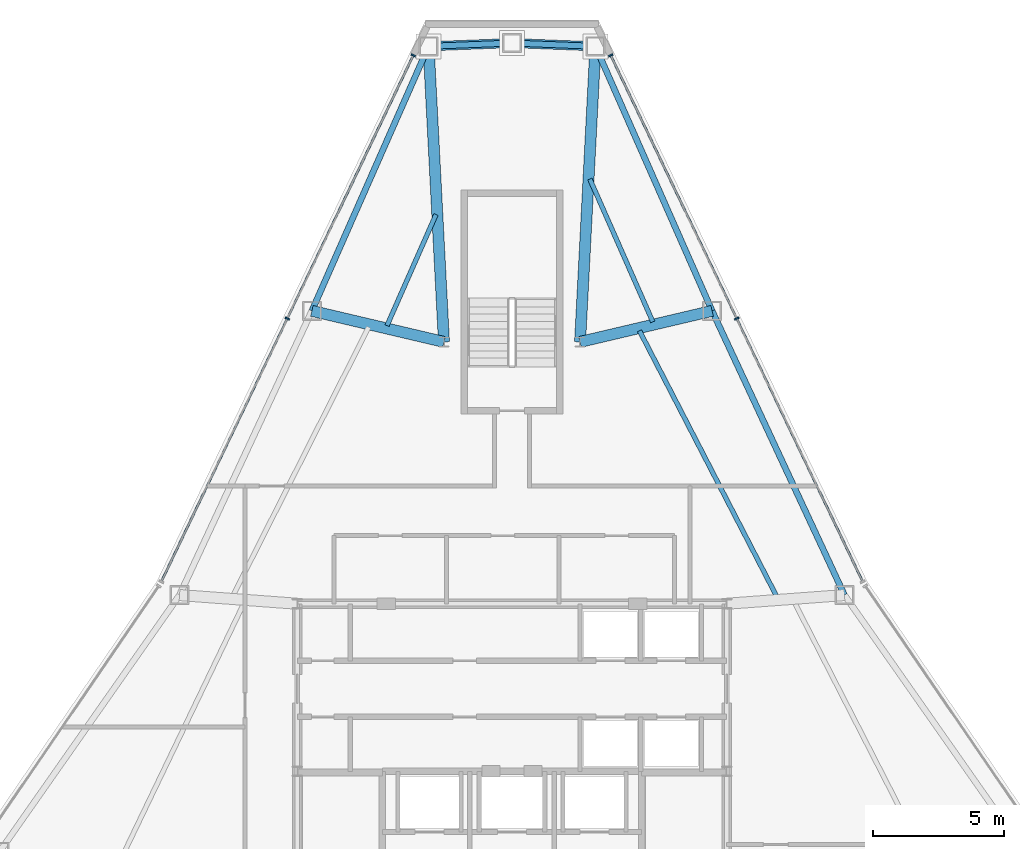
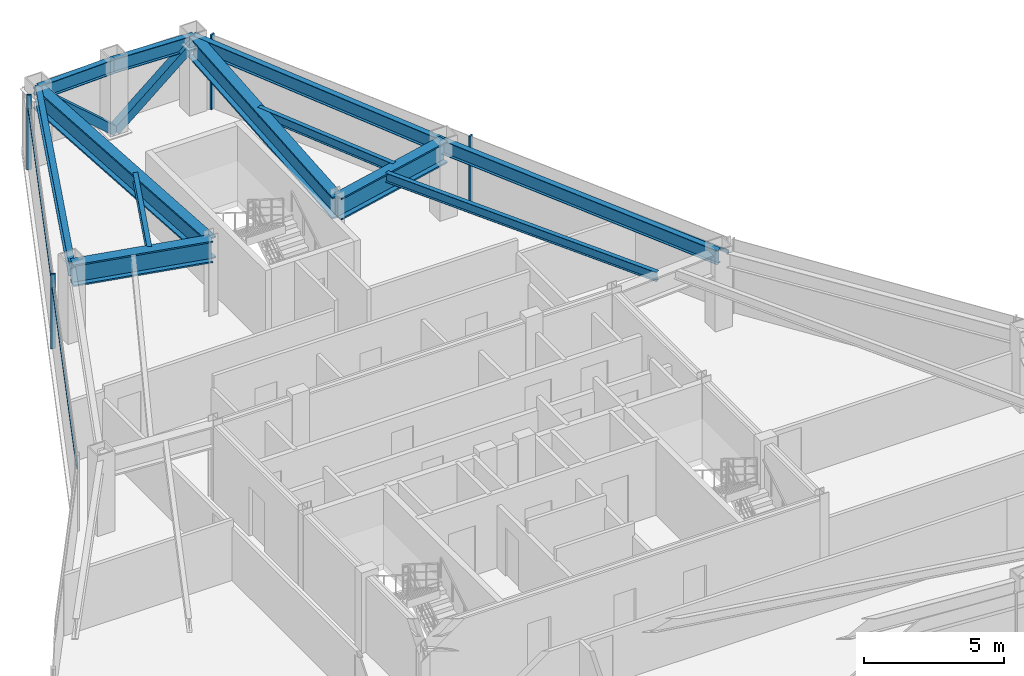
# One storey, part 7 of 11: 12 beams, 8 members, 2 elements without a shape of their own.
"""IFC4 building model written with IfcOpenShell, lengths in metres."""

import ifcopenshell
import ifcopenshell.guid

model = None  # the IFC model being written
_history = None  # IfcOwnerHistory: only IFC2X3 demands one
_inside = {}  # id of a spatial element -> (the spatial element, [elements in it])
_under = {}  # id of a project, library or spatial element -> (it, [spatial elements below it])
_declared = {}  # id of a project -> (the project, [libraries it declares])
_typed = {}  # id of a type object -> (the type object, [elements of that type])
_made_of = {}  # id of a material, layer set ... -> (it, [elements and type objects made of it])


def new_model(schema):
    """Start an empty IFC model of exactly this schema.

    Asked for "IFC4X3", IfcOpenShell would pick the latest addendum, in which some entities
    have other attributes; the version numbers below select the first issue.
    IFC2X3 requires an IfcOwnerHistory on every rooted entity: one is made here for all.
    """
    global model, _history
    if schema == "IFC4X3":
        model = ifcopenshell.file(schema_version=(4, 3, 0, 0))
    else:
        model = ifcopenshell.file(schema=schema)
    _inside.clear()
    _under.clear()
    _declared.clear()
    _typed.clear()
    _made_of.clear()
    _history = None
    if model.schema == "IFC2X3":
        org = make("IfcOrganization", Name="unknown")
        user = make(
            "IfcPersonAndOrganization",
            ThePerson=make("IfcPerson", FamilyName="unknown"),
            TheOrganization=org,
        )
        app = make(
            "IfcApplication",
            ApplicationDeveloper=org,
            Version="unknown",
            ApplicationFullName="unknown",
            ApplicationIdentifier="unknown",
        )
        _history = make(
            "IfcOwnerHistory",
            OwningUser=user,
            OwningApplication=app,
            ChangeAction="ADDED",
            CreationDate=0,
        )
    return model


def make(cls, **values):
    """One entity of the class cls with the attributes given. An attribute that is None is left unset."""
    return model.create_entity(
        cls, **{name: value for name, value in values.items() if value is not None}
    )


def rooted(cls, **values):
    """An entity with a GlobalId (a new one), such as an element, a storey or a relation."""
    return make(cls, GlobalId=ifcopenshell.guid.new(), OwnerHistory=_history, **values)


def si_unit(unit_type, name, prefix=None):
    """IfcSIUnit, for example si_unit("LENGTHUNIT", "METRE", prefix="MILLI")."""
    return make("IfcSIUnit", UnitType=unit_type, Prefix=prefix, Name=name)


def assignment(units):
    """IfcUnitAssignment: the units of a project."""
    return None if units is None else make("IfcUnitAssignment", Units=units)


def point(xyz):
    """IfcCartesianPoint."""
    return None if xyz is None else make("IfcCartesianPoint", Coordinates=xyz)


def direction(xyz):
    """IfcDirection."""
    return None if xyz is None else make("IfcDirection", DirectionRatios=xyz)


def frame(location, z_axis=None, x_axis=None):
    """IfcAxis2Placement3D, a coordinate frame: its origin and axes. An axis left out is left unset."""
    return make(
        "IfcAxis2Placement3D",
        Location=point(location),
        Axis=direction(z_axis),
        RefDirection=direction(x_axis),
    )


def frame_2d(location, x_axis=None):
    """IfcAxis2Placement2D, a coordinate frame in the plane: its origin and x axis."""
    return make(
        "IfcAxis2Placement2D", Location=point(location), RefDirection=direction(x_axis)
    )


def origin():
    """The frame at (0, 0, 0) with its axes left unset."""
    return frame((0.0, 0.0, 0.0))


def origin_2d():
    """The frame at (0, 0) in the plane with its x axis left unset."""
    return frame_2d((0.0, 0.0))


def place(relative_to, where):
    """IfcLocalPlacement: puts the frame where relative to a parent placement (None: the world)."""
    return make(
        "IfcLocalPlacement", PlacementRelTo=relative_to, RelativePlacement=where
    )


def context(
    kind, dimensions, precision=None, world=None, true_north=None, identifier=None
):
    """IfcGeometricRepresentationContext, for example the 3D "Model" context."""
    return make(
        "IfcGeometricRepresentationContext",
        ContextIdentifier=identifier,
        ContextType=kind,
        CoordinateSpaceDimension=dimensions,
        Precision=precision,
        WorldCoordinateSystem=world,
        TrueNorth=true_north,
    )


def subcontext(parent, identifier, kind, view, scale=None):
    """IfcGeometricRepresentationSubContext, for example "Body" below "Model"."""
    return make(
        "IfcGeometricRepresentationSubContext",
        ContextIdentifier=identifier,
        ContextType=kind,
        ParentContext=parent,
        TargetScale=scale,
        TargetView=view,
    )


def project(units=None, contexts=None):
    """IfcProject with its units and contexts."""
    return rooted(
        "IfcProject",
        Name="project",
        RepresentationContexts=contexts,
        UnitsInContext=assignment(units),
    )


def spatial(cls, under=None, at=None, **own):
    """A site, building, storey or space (cls), placed at a placement, below another one or the project."""
    s = rooted(cls, ObjectPlacement=at, **own)
    if under is not None:
        _under.setdefault(under.id(), (under, []))[1].append(s)
    return s


def profile(cls, at=None, kind="AREA", **sizes):
    """A parametric profile (cls). Its sizes go by their IFC names, for example OverallWidth=200.0."""
    return make(cls, ProfileType=kind, Position=at, **sizes)


def rectangle(**sizes):
    """IfcRectangleProfileDef."""
    return profile("IfcRectangleProfileDef", **sizes)


def hollow_rectangle(**sizes):
    """IfcRectangleHollowProfileDef."""
    return profile("IfcRectangleHollowProfileDef", **sizes)


def i_section(**sizes):
    """IfcIShapeProfileDef."""
    return profile("IfcIShapeProfileDef", **sizes)


def extrude(swept, where, along, depth):
    """IfcExtrudedAreaSolid: the profile swept, set in the frame where, extruded along a direction by depth."""
    return make(
        "IfcExtrudedAreaSolid",
        SweptArea=swept,
        Position=where,
        ExtrudedDirection=direction(along),
        Depth=depth,
    )


def shape(context_of_items, identifier, shape_type, items):
    """IfcShapeRepresentation: the items that make up one representation, for example the "Body"."""
    return make(
        "IfcShapeRepresentation",
        ContextOfItems=context_of_items,
        RepresentationIdentifier=identifier,
        RepresentationType=shape_type,
        Items=items,
    )


def source(mapping_origin, context_of_items, identifier, shape_type, items):
    """IfcRepresentationMap: a shape defined once, which mapped items show again and again."""
    return make(
        "IfcRepresentationMap",
        MappingOrigin=mapping_origin,
        MappedRepresentation=shape(context_of_items, identifier, shape_type, items),
    )


def transform(
    local_origin,
    x_axis=None,
    y_axis=None,
    z_axis=None,
    scale=None,
    scale2=None,
    scale3=None,
    uniform=True,
):
    """IfcCartesianTransformationOperator3D, or its non-uniform kind. x_axis, y_axis, z_axis: its Axis1, 2, 3."""
    if uniform:
        return make(
            "IfcCartesianTransformationOperator3D",
            Axis1=direction(x_axis),
            Axis2=direction(y_axis),
            LocalOrigin=point(local_origin),
            Scale=scale,
            Axis3=direction(z_axis),
        )
    return make(
        "IfcCartesianTransformationOperator3DnonUniform",
        Axis1=direction(x_axis),
        Axis2=direction(y_axis),
        LocalOrigin=point(local_origin),
        Scale=scale,
        Axis3=direction(z_axis),
        Scale2=scale2,
        Scale3=scale3,
    )


def mapped(mapping_source, mapping_target):
    """IfcMappedItem: shows the shape of a source again, moved by a transform."""
    return make(
        "IfcMappedItem", MappingSource=mapping_source, MappingTarget=mapping_target
    )


def material(Name=None, Category=None):
    """IfcMaterial."""
    return make("IfcMaterial", Name=Name, Category=Category)


def layer(
    of_material, thickness, ventilated=None, Name=None, Category=None, Priority=None
):
    """IfcMaterialLayer: one layer of a wall or slab, of a material (None: an air gap)."""
    return make(
        "IfcMaterialLayer",
        Material=of_material,
        LayerThickness=thickness,
        IsVentilated=ventilated,
        Name=Name,
        Category=Category,
        Priority=Priority,
    )


def layer_set(layers, Name=None):
    """IfcMaterialLayerSet."""
    return make("IfcMaterialLayerSet", MaterialLayers=layers, LayerSetName=Name)


def material_profile(
    of_material, cross_section, Name=None, Category=None, Priority=None
):
    """IfcMaterialProfile: a cross section and its material."""
    return make(
        "IfcMaterialProfile",
        Name=Name,
        Material=of_material,
        Profile=cross_section,
        Priority=Priority,
        Category=Category,
    )


def profile_set(profiles, Name=None, composite=None):
    """IfcMaterialProfileSet."""
    return make(
        "IfcMaterialProfileSet",
        Name=Name,
        MaterialProfiles=profiles,
        CompositeProfile=composite,
    )


def made_of(thing, what):
    """Note that an element or type object is made of a material, layer set ...; save() writes the relation."""
    if what is not None:
        _made_of.setdefault(what.id(), (what, []))[1].append(thing)
    return thing


def type_object(cls, material=None, **own):
    """A type object (cls), such as IfcWallType, which elements share."""
    return made_of(rooted(cls, **own), material)


def type_shapes(of_type, sources):
    """Give a type object the sources (RepresentationMaps) that its elements show as mapped items."""
    of_type.RepresentationMaps = sources


def element(
    cls,
    number,
    at=None,
    inside=None,
    cuts=None,
    type_object=None,
    material=None,
    context=None,
    identifier="Body",
    shape_type=None,
    held_by="IfcProductDefinitionShape",
    body=None,
    shapes=None,
    **own,
):
    """One element of the class cls, such as IfcWall. Its Tag is "e" and its number.

    at: its placement. inside: the storey or other place that contains it. cuts: it is an
    opening in that element (IfcRelVoidsElement). A single representation is given by context,
    identifier, shape_type and body (its items); several are given by shapes. held_by: the class
    of the entity that holds the representations. save() writes the other relations.
    """
    e = rooted(cls, Tag="e%d" % number, ObjectPlacement=at, **own)
    if body is not None:
        shapes = [shape(context, identifier, shape_type, body)]
    if shapes is not None:
        e.Representation = make(held_by, Representations=shapes)
    if inside is not None:
        _inside.setdefault(inside.id(), (inside, []))[1].append(e)
    if cuts is not None:
        rooted(
            "IfcRelVoidsElement", RelatingBuildingElement=cuts, RelatedOpeningElement=e
        )
    if type_object is not None:
        _typed.setdefault(type_object.id(), (type_object, []))[1].append(e)
    return made_of(e, material)


def aggregate(whole, parts):
    """IfcRelAggregates: a whole, such as a stair, and the parts it consists of."""
    return rooted("IfcRelAggregates", RelatingObject=whole, RelatedObjects=parts)


def save(model, path):
    """Write the relations noted so far, then the file.

    IfcRelAggregates (storeys below a building ...), IfcRelContainedInSpatialStructure (elements
    in a storey), IfcRelDefinesByType, IfcRelAssociatesMaterial and IfcRelDeclares: one each for
    every whole, place, type object, material and project.
    """
    for whole, parts in _under.values():
        aggregate(whole, parts)
    for where, things in _inside.values():
        rooted(
            "IfcRelContainedInSpatialStructure",
            RelatedElements=things,
            RelatingStructure=where,
        )
    for kind, things in _typed.values():
        rooted("IfcRelDefinesByType", RelatedObjects=things, RelatingType=kind)
    for what, things in _made_of.values():
        rooted("IfcRelAssociatesMaterial", RelatedObjects=things, RelatingMaterial=what)
    for by, libraries in _declared.values():
        rooted("IfcRelDeclares", RelatingContext=by, RelatedDefinitions=libraries)
    model.write(path)


model = new_model("IFC4")

# Units and contexts
model_context = context("Model", 3, precision=1e-05, world=origin(), true_north=direction((0.0, 1.0)))
body_context = subcontext(model_context, "Body", "Model", "MODEL_VIEW")
ifc_project = project(units=[si_unit("LENGTHUNIT", "METRE"), si_unit("AREAUNIT", "SQUARE_METRE"), si_unit("VOLUMEUNIT", "CUBIC_METRE"), si_unit("PLANEANGLEUNIT", "RADIAN"), si_unit("MASSUNIT", "GRAM", prefix="KILO")], contexts=[model_context])

# Site, building, storey
site_placement = place(None, origin())
site = spatial("IfcSite", under=ifc_project, at=site_placement, CompositionType="ELEMENT")
building_placement = place(site_placement, origin())
building = spatial("IfcBuilding", under=site, at=building_placement, Name="Varakhsha Concourse Tower", CompositionType="ELEMENT")
storey_placement = place(building_placement, frame((0.0, 0.0, 215.39990234375)))
storey = spatial("IfcBuildingStorey", under=building, at=storey_placement, Name="L61", CompositionType="ELEMENT", Elevation=215.39990234375)

# Beams
ifc_material_1 = material(Name="Structural Steel ASTM A992 Grade 50", Category="steel")
ifc_material_profile_1 = material_profile(ifc_material_1, i_section(OverallWidth=0.177978515625, OverallDepth=0.406982421875, WebThickness=0.008056640625, FlangeThickness=0.012939453125, at=origin_2d()), Name="W16X40")
ifc_profile_set_1 = profile_set([ifc_material_profile_1], Name="Structural Steel ASTM A992 Grade 50")
beam_type_1 = type_object("IfcBeamType", Name="BM-JST-W16X40", PredefinedType="JOIST", material=ifc_profile_set_1)
beam_1_placement = place(storey_placement, frame((37.097412109375, 46.06787109375, 3.046630859375), z_axis=(-0.403583198259, -0.91494295018, 0.0), x_axis=(0.91494295018, -0.403583198259, 0.0)))
element("IfcBeam", 1, at=beam_1_placement, inside=storey, type_object=beam_type_1, Name="BM-TJST-L61-03", PredefinedType="JOIST", context=body_context, shape_type="SweptSolid", body=[
    extrude(i_section(OverallWidth=0.177978515625, OverallDepth=0.406982421875, WebThickness=0.008056640625, FlangeThickness=0.012939453125, at=origin_2d()), origin(), (0.0, 0.0, 1.0), 4.63916015625),
])
beam_2_placement = place(storey_placement, frame((50.12890625, 31.443603515625, 3.046630859375), z_axis=(-0.458935408201, 0.888469634315, 0.0), x_axis=(-0.888469634315, -0.458935408201, 0.0)))
element("IfcBeam", 2, at=beam_2_placement, inside=storey, type_object=beam_type_1, Name="BM-TJST-L61-17", PredefinedType="JOIST", context=body_context, shape_type="SweptSolid", body=[
    extrude(i_section(OverallWidth=0.177978515625, OverallDepth=0.406982421875, WebThickness=0.008056640625, FlangeThickness=0.012939453125, at=origin_2d()), origin(), (0.0, 0.0, 1.0), 11.459228515625),
])
beam_3_placement = place(storey_placement, frame((45.380126953125, 41.9658203125, 3.046630859375), z_axis=(-0.403599895575, 0.914935584777, 0.0), x_axis=(-0.914935584777, -0.403599895575, 0.0)))
element("IfcBeam", 3, at=beam_3_placement, inside=storey, type_object=beam_type_1, Name="BM-TJST-L61-18", PredefinedType="JOIST", context=body_context, shape_type="SweptSolid", body=[
    extrude(i_section(OverallWidth=0.177978515625, OverallDepth=0.406982421875, WebThickness=0.008056640625, FlangeThickness=0.012939453125, at=origin_2d()), origin(), (0.0, 0.0, 1.0), 5.96435546875),
])
ifc_material_profile_2 = material_profile(ifc_material_1, i_section(OverallWidth=0.423095703125, OverallDepth=0.947998046875, WebThickness=0.0380859375, FlangeThickness=0.06396484375, at=origin_2d()), Name="W36X302")
ifc_profile_set_2 = profile_set([ifc_material_profile_2], Name="Structural Steel ASTM A992 Grade 50")
beam_type_2 = type_object("IfcBeamType", Name="BM-OUTR-W36X302", PredefinedType="USERDEFINED", material=ifc_profile_set_2)
for number, where, z_axis, x_axis, name in (
    (4, (42.60009765625, 41.199951171875, 2.776123046875), (0.051884532056, 0.998653090584, 0.0), (-0.998653090584, 0.051884532056, 0.0), "L61 Radial Floor Girder 01"),
    (5, (37.39990234375, 41.199951171875, 2.776123046875), (-0.051884532056, 0.998653090584, 0.0), (-0.998653090584, -0.051884532056, 0.0), "L61 Radial Floor Girder 03"),
):
    element("IfcBeam", number, at=place(storey_placement, frame(where, z_axis=z_axis, x_axis=x_axis)), inside=storey, type_object=beam_type_2, Name=name, ObjectType="GIRDER", PredefinedType="USERDEFINED", context=body_context, shape_type="SweptSolid", body=[
        extrude(i_section(OverallWidth=0.423095703125, OverallDepth=0.947998046875, WebThickness=0.0380859375, FlangeThickness=0.06396484375, at=origin_2d()), origin(), (0.0, 0.0, 1.0), 11.30712890625),
    ])
for number, where, z_axis, x_axis, name in (
    (6, (37.39990234375, 41.199951171875, 2.776123046875), (-0.973374515128, 0.229220534203, 0.0), (-0.229220534203, -0.973374515128, 0.0), "L61 Radial Floor Girder 04"),
    (7, (42.60009765625, 41.199951171875, 2.776123046875), (0.973374515128, 0.229220534203, 0.0), (-0.229220534203, 0.973374515128, 0.0), "L61 Radial Floor Girder 18"),
):
    element("IfcBeam", number, at=place(storey_placement, frame(where, z_axis=z_axis, x_axis=x_axis)), inside=storey, type_object=beam_type_2, Name=name, ObjectType="GIRDER", PredefinedType="USERDEFINED", context=body_context, shape_type="SweptSolid", body=[
        extrude(i_section(OverallWidth=0.423095703125, OverallDepth=0.947998046875, WebThickness=0.0380859375, FlangeThickness=0.06396484375, at=origin_2d()), origin(), (0.0, 0.0, 1.0), 5.181640625),
    ])
ifc_material_profile_3 = material_profile(ifc_material_1, i_section(OverallWidth=0.22900390625, OverallDepth=0.612060546875, WebThickness=0.011962890625, FlangeThickness=0.02001953125, at=origin_2d()), Name="W24X84")
ifc_profile_set_3 = profile_set([ifc_material_profile_3], Name="Structural Steel ASTM A992 Grade 50")
beam_type_3 = type_object("IfcBeamType", Name="BM-SPAN-W24X84", PredefinedType="SPANDREL", material=ifc_profile_set_3)
for number, where, z_axis, x_axis, name in (
    (8, (43.186767578125, 52.491943359375, 2.944091796875), (-0.999225590173, 0.039347426136, 0.0), (-0.039347426136, -0.999225590173, 0.0), "BM-SPAN-L61-01"),
    (9, (40.0, 52.617431640625, 2.944091796875), (-0.999225590173, -0.039347426136, 0.0), (0.039347426136, -0.999225590173, 0.0), "BM-SPAN-L61-02"),
):
    element("IfcBeam", number, at=place(storey_placement, frame(where, z_axis=z_axis, x_axis=x_axis)), inside=storey, type_object=beam_type_3, Name=name, PredefinedType="SPANDREL", context=body_context, shape_type="SweptSolid", body=[
        extrude(i_section(OverallWidth=0.22900390625, OverallDepth=0.612060546875, WebThickness=0.011962890625, FlangeThickness=0.02001953125, at=origin_2d()), origin(), (0.0, 0.0, 1.0), 3.189208984375),
    ])
beam_4_placement = place(storey_placement, frame((36.813232421875, 52.491943359375, 2.944091796875), z_axis=(-0.403585234517, -0.914942051979, 0.0), x_axis=(0.914942051979, -0.403585234517, 0.0)))
element("IfcBeam", 10, at=beam_4_placement, inside=storey, type_object=beam_type_3, Name="BM-SPAN-L61-03", PredefinedType="SPANDREL", context=body_context, shape_type="SweptSolid", body=[
    extrude(i_section(OverallWidth=0.22900390625, OverallDepth=0.612060546875, WebThickness=0.011962890625, FlangeThickness=0.02001953125, at=origin_2d()), origin(), (0.0, 0.0, 1.0), 11.043701171875),
])
beam_5_placement = place(storey_placement, frame((52.698974609375, 31.53173828125, 2.944091796875), z_axis=(-0.422135313271, 0.90653283299, 0.0), x_axis=(-0.90653283299, -0.422135313271, 0.0)))
element("IfcBeam", 11, at=beam_5_placement, inside=storey, type_object=beam_type_3, Name="BM-SPAN-L61-17", PredefinedType="SPANDREL", context=body_context, shape_type="SweptSolid", body=[
    extrude(i_section(OverallWidth=0.22900390625, OverallDepth=0.612060546875, WebThickness=0.011962890625, FlangeThickness=0.02001953125, at=origin_2d()), origin(), (0.0, 0.0, 1.0), 11.975341796875),
])
beam_6_placement = place(storey_placement, frame((47.643798828125, 42.3876953125, 2.944091796875), z_axis=(-0.403585234517, 0.914942051979, 0.0), x_axis=(-0.914942051979, -0.403585234517, 0.0)))
element("IfcBeam", 12, at=beam_6_placement, inside=storey, type_object=beam_type_3, Name="BM-SPAN-L61-18", PredefinedType="SPANDREL", context=body_context, shape_type="SweptSolid", body=[
    extrude(i_section(OverallWidth=0.22900390625, OverallDepth=0.612060546875, WebThickness=0.011962890625, FlangeThickness=0.02001953125, at=origin_2d()), origin(), (0.0, 0.0, 1.0), 11.043701171875),
])

# Members
ifc_material_2 = material(Name="Structural Steel ASTM A500 Grade C", Category="steel")
ifc_material_profile_4 = material_profile(ifc_material_2, hollow_rectangle(XDim=0.35009765625, YDim=0.35009765625, WallThickness=0.01611328125, at=origin_2d()), Name="HSS 350x350x16")
ifc_profile_set_4 = profile_set([ifc_material_profile_4], Name="Structural Steel ASTM A500 Grade C")
member_type_1 = type_object("IfcMemberType", Name="MB-TUBE-HSS350", PredefinedType="BRACE", material=ifc_profile_set_4)
shared_shape_1 = source(origin(), body_context, "Body", "SweptSolid", [
    extrude(hollow_rectangle(XDim=0.35009765625, YDim=0.35009765625, WallThickness=0.01611328125, at=origin_2d()), origin(), (0.0, 0.0, 1.0), 4.263916015625),
])
type_shapes(member_type_1, [shared_shape_1])
for number, where, z_axis, x_axis, name in (
    (13, (40.0, 52.617431640625, 0.1201171875), (0.747388752207, -0.02943061508, 0.663734805453), (0.039347426136, 0.999225590173, 0.0), "L61 Wind-Corner Tube Brace B01"),
    (14, (40.0, 52.617431640625, 0.1201171875), (-0.747388752207, -0.02943061508, 0.663734805453), (0.039347426136, -0.999225590173, 0.0), "L61 Wind-Corner Tube Brace B02"),
):
    element("IfcMember", number, at=place(storey_placement, frame(where, z_axis=z_axis, x_axis=x_axis)), inside=storey, type_object=member_type_1, Name=name, PredefinedType="BRACE", context=body_context, shape_type="MappedRepresentation", body=[
        mapped(shared_shape_1, transform((0.0, 0.0, 0.0), scale=1.0)),
    ])

# Curtain wall, members
ifc_material_3 = material(Name="Anodised Bronze Architectural Aluminium AA 6063-T6", Category="aluminium")
ifc_layer = layer(ifc_material_3, 0.199951171875, Name="CW-SYS-05")
ifc_layer_set = layer_set([ifc_layer], Name="Anodised Bronze Architectural Aluminium AA 6063-T6")
curtain_wall_type = type_object("IfcCurtainWallType", Name="CW-SYS-05", PredefinedType="NOTDEFINED", material=ifc_layer_set)
curtain_wall_1_placement = place(storey_placement, origin())
curtain_wall_1 = element("IfcCurtainWall", 15, at=curtain_wall_1_placement, inside=storey, type_object=curtain_wall_type, Name="L61 Crystal Curtain Wall F2", PredefinedType="NOTDEFINED")
ifc_material_profile_5 = material_profile(ifc_material_3, rectangle(XDim=0.06494140625, YDim=0.179931640625, at=origin_2d()), Name="CWM-180X65")
ifc_profile_set_5 = profile_set([ifc_material_profile_5], Name="Anodised Bronze Architectural Aluminium AA 6063-T6")
member_type_2 = type_object("IfcMemberType", Name="CWM-180X65", PredefinedType="MULLION", material=ifc_profile_set_5)
shared_shape_2 = source(origin(), body_context, "Body", "SweptSolid", [
    extrude(rectangle(XDim=0.06494140625, YDim=0.179931640625, at=origin_2d()), origin(), (0.0, 0.0, 1.0), 3.25),
])
type_shapes(member_type_2, [shared_shape_2])
member_1_placement = place(storey_placement, frame((31.41748046875, 42.09423828125, 0.0), z_axis=(0.0, 0.0, 1.0), x_axis=(0.431862228288, 0.901939585437, 0.0)))
member_1 = element("IfcMember", 16, at=member_1_placement, type_object=member_type_2, Name="CW-L61-F2 Mullion 01", PredefinedType="MULLION", context=body_context, shape_type="MappedRepresentation", body=[
    mapped(shared_shape_2, transform((0.0, 0.0, 0.0), scale=1.0)),
])
member_2_placement = place(storey_placement, frame((36.231201171875, 52.147705078125, 0.0), z_axis=(0.0, 0.0, 1.0), x_axis=(0.431862228288, 0.901939585437, 0.0)))
member_2 = element("IfcMember", 17, at=member_2_placement, type_object=member_type_2, Name="CW-L61-F2 Mullion 02", PredefinedType="MULLION", context=body_context, shape_type="MappedRepresentation", body=[
    mapped(shared_shape_2, transform((0.0, 0.0, 0.0), scale=1.0)),
])

curtain_wall_2_placement = place(storey_placement, origin())
curtain_wall_2 = element("IfcCurtainWall", 18, at=curtain_wall_2_placement, inside=storey, type_object=curtain_wall_type, Name="L61 Crystal Curtain Wall F9", PredefinedType="NOTDEFINED")
member_3_placement = place(storey_placement, frame((43.768798828125, 52.147705078125, 0.0), z_axis=(0.0, 0.0, 1.0), x_axis=(0.431862228288, -0.901939585437, 0.0)))
member_3 = element("IfcMember", 19, at=member_3_placement, type_object=member_type_2, Name="CW-L61-F9 Mullion 00", PredefinedType="MULLION", context=body_context, shape_type="MappedRepresentation", body=[
    mapped(shared_shape_2, transform((0.0, 0.0, 0.0), scale=1.0)),
])
member_4_placement = place(storey_placement, frame((48.582763671875, 42.09423828125, 0.0), z_axis=(0.0, 0.0, 1.0), x_axis=(0.431862228288, -0.901939585437, 0.0)))
member_4 = element("IfcMember", 20, at=member_4_placement, type_object=member_type_2, Name="CW-L61-F9 Mullion 01", PredefinedType="MULLION", context=body_context, shape_type="MappedRepresentation", body=[
    mapped(shared_shape_2, transform((0.0, 0.0, 0.0), scale=1.0)),
])

# Member
ifc_material_profile_6 = material_profile(ifc_material_3, rectangle(XDim=0.06005859375, YDim=0.139892578125, at=origin_2d()), Name="CWT-140X60")
ifc_profile_set_6 = profile_set([ifc_material_profile_6], Name="Anodised Bronze Architectural Aluminium AA 6063-T6")
member_type_3 = type_object("IfcMemberType", Name="CWT-140X60", PredefinedType="USERDEFINED", material=ifc_profile_set_6)
shared_shape_3 = source(origin(), body_context, "Body", "SweptSolid", [
    extrude(rectangle(XDim=0.06005859375, YDim=0.139892578125, at=origin_2d()), origin(), (0.0, 0.0, 1.0), 22.29296875),
])
type_shapes(member_type_3, [shared_shape_3])
member_5_placement = place(storey_placement, frame((26.603515625, 32.040771484375, 2.60009765625), z_axis=(0.431868926754, 0.90193637808, 0.0), x_axis=(-0.90193637808, 0.431868926754, 0.0)))
member_5 = element("IfcMember", 21, at=member_5_placement, type_object=member_type_3, Name="CW-L61-F2 Transom 01", ObjectType="TRANSOM", PredefinedType="USERDEFINED", context=body_context, shape_type="MappedRepresentation", body=[
    mapped(shared_shape_3, transform((0.0, 0.0, 0.0), scale=1.0)),
])

aggregate(curtain_wall_1, [member_1, member_2, member_5])

member_6_placement = place(storey_placement, frame((43.768798828125, 52.147705078125, 2.60009765625), z_axis=(0.431868926754, -0.90193637808, 0.0), x_axis=(0.90193637808, 0.431868926754, 0.0)))
member_6 = element("IfcMember", 22, at=member_6_placement, type_object=member_type_3, Name="CW-L61-F9 Transom 01", ObjectType="TRANSOM", PredefinedType="USERDEFINED", context=body_context, shape_type="MappedRepresentation", body=[
    mapped(shared_shape_3, transform((0.0, 0.0, 0.0), scale=1.0)),
])

aggregate(curtain_wall_2, [member_3, member_4, member_6])

save(model, "model.ifc")
